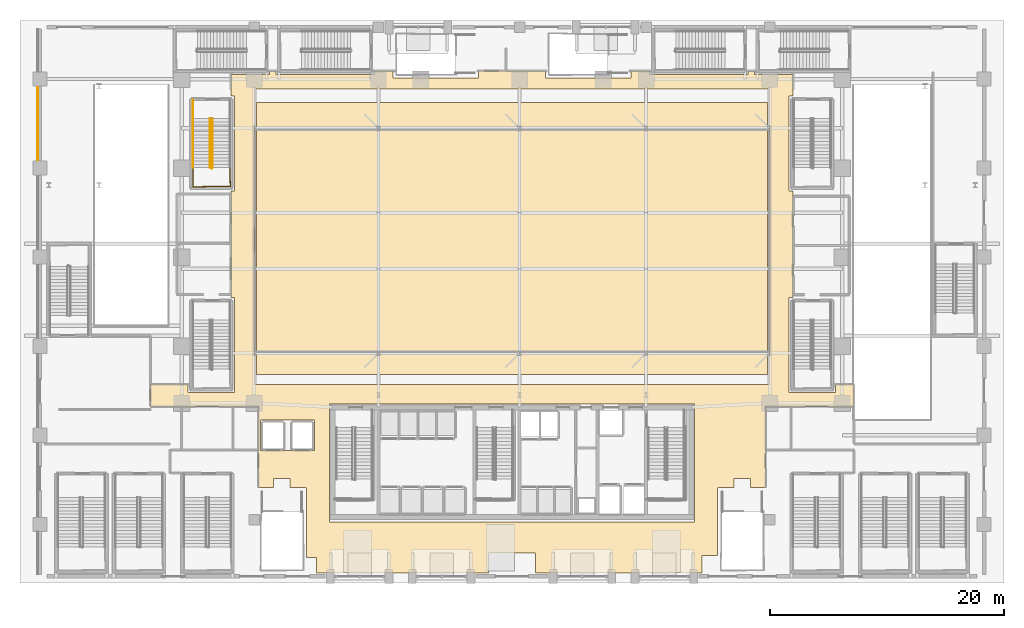
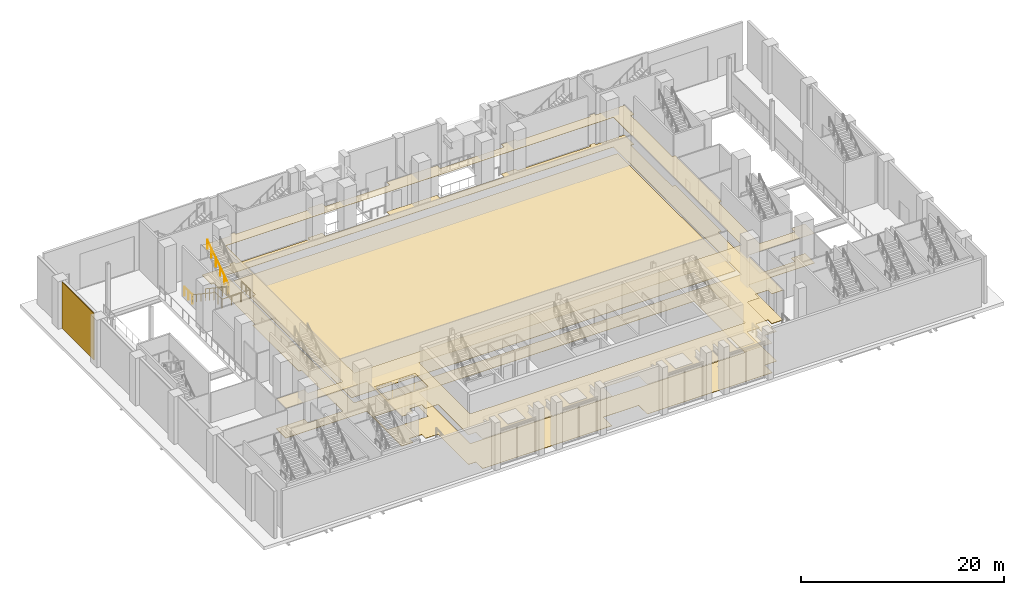
# One storey, part 30 of 36: 5 railings, 4 coverings.
"""IFC4 building model written with IfcOpenShell, lengths in metres."""

import ifcopenshell
import ifcopenshell.guid

model = None  # the IFC model being written
_history = None  # IfcOwnerHistory: only IFC2X3 demands one
_inside = {}  # id of a spatial element -> (the spatial element, [elements in it])
_under = {}  # id of a project, library or spatial element -> (it, [spatial elements below it])
_declared = {}  # id of a project -> (the project, [libraries it declares])
_typed = {}  # id of a type object -> (the type object, [elements of that type])
_made_of = {}  # id of a material, layer set ... -> (it, [elements and type objects made of it])


def new_model(schema):
    """Start an empty IFC model of exactly this schema.

    Asked for "IFC4X3", IfcOpenShell would pick the latest addendum, in which some entities
    have other attributes; the version numbers below select the first issue.
    IFC2X3 requires an IfcOwnerHistory on every rooted entity: one is made here for all.
    """
    global model, _history
    if schema == "IFC4X3":
        model = ifcopenshell.file(schema_version=(4, 3, 0, 0))
    else:
        model = ifcopenshell.file(schema=schema)
    _inside.clear()
    _under.clear()
    _declared.clear()
    _typed.clear()
    _made_of.clear()
    _history = None
    if model.schema == "IFC2X3":
        org = make("IfcOrganization", Name="unknown")
        user = make(
            "IfcPersonAndOrganization",
            ThePerson=make("IfcPerson", FamilyName="unknown"),
            TheOrganization=org,
        )
        app = make(
            "IfcApplication",
            ApplicationDeveloper=org,
            Version="unknown",
            ApplicationFullName="unknown",
            ApplicationIdentifier="unknown",
        )
        _history = make(
            "IfcOwnerHistory",
            OwningUser=user,
            OwningApplication=app,
            ChangeAction="ADDED",
            CreationDate=0,
        )
    return model


def make(cls, **values):
    """One entity of the class cls with the attributes given. An attribute that is None is left unset."""
    return model.create_entity(
        cls, **{name: value for name, value in values.items() if value is not None}
    )


def rooted(cls, **values):
    """An entity with a GlobalId (a new one), such as an element, a storey or a relation."""
    return make(cls, GlobalId=ifcopenshell.guid.new(), OwnerHistory=_history, **values)


def si_unit(unit_type, name, prefix=None):
    """IfcSIUnit, for example si_unit("LENGTHUNIT", "METRE", prefix="MILLI")."""
    return make("IfcSIUnit", UnitType=unit_type, Prefix=prefix, Name=name)


def assignment(units):
    """IfcUnitAssignment: the units of a project."""
    return None if units is None else make("IfcUnitAssignment", Units=units)


def point(xyz):
    """IfcCartesianPoint."""
    return None if xyz is None else make("IfcCartesianPoint", Coordinates=xyz)


def direction(xyz):
    """IfcDirection."""
    return None if xyz is None else make("IfcDirection", DirectionRatios=xyz)


def frame(location, z_axis=None, x_axis=None):
    """IfcAxis2Placement3D, a coordinate frame: its origin and axes. An axis left out is left unset."""
    return make(
        "IfcAxis2Placement3D",
        Location=point(location),
        Axis=direction(z_axis),
        RefDirection=direction(x_axis),
    )


def frame_2d(location, x_axis=None):
    """IfcAxis2Placement2D, a coordinate frame in the plane: its origin and x axis."""
    return make(
        "IfcAxis2Placement2D", Location=point(location), RefDirection=direction(x_axis)
    )


def origin():
    """The frame at (0, 0, 0) with its axes left unset."""
    return frame((0.0, 0.0, 0.0))


def origin_2d():
    """The frame at (0, 0) in the plane with its x axis left unset."""
    return frame_2d((0.0, 0.0))


def place(relative_to, where):
    """IfcLocalPlacement: puts the frame where relative to a parent placement (None: the world)."""
    return make(
        "IfcLocalPlacement", PlacementRelTo=relative_to, RelativePlacement=where
    )


def context(
    kind, dimensions, precision=None, world=None, true_north=None, identifier=None
):
    """IfcGeometricRepresentationContext, for example the 3D "Model" context."""
    return make(
        "IfcGeometricRepresentationContext",
        ContextIdentifier=identifier,
        ContextType=kind,
        CoordinateSpaceDimension=dimensions,
        Precision=precision,
        WorldCoordinateSystem=world,
        TrueNorth=true_north,
    )


def subcontext(parent, identifier, kind, view, scale=None):
    """IfcGeometricRepresentationSubContext, for example "Body" below "Model"."""
    return make(
        "IfcGeometricRepresentationSubContext",
        ContextIdentifier=identifier,
        ContextType=kind,
        ParentContext=parent,
        TargetScale=scale,
        TargetView=view,
    )


def project(units=None, contexts=None):
    """IfcProject with its units and contexts."""
    return rooted(
        "IfcProject",
        Name="project",
        RepresentationContexts=contexts,
        UnitsInContext=assignment(units),
    )


def spatial(cls, under=None, at=None, **own):
    """A site, building, storey or space (cls), placed at a placement, below another one or the project."""
    s = rooted(cls, ObjectPlacement=at, **own)
    if under is not None:
        _under.setdefault(under.id(), (under, []))[1].append(s)
    return s


def polyline(points):
    """IfcPolyline through the points."""
    return make("IfcPolyline", Points=[point(p) for p in points])


def profile(cls, at=None, kind="AREA", **sizes):
    """A parametric profile (cls). Its sizes go by their IFC names, for example OverallWidth=200.0."""
    return make(cls, ProfileType=kind, Position=at, **sizes)


def rectangle(**sizes):
    """IfcRectangleProfileDef."""
    return profile("IfcRectangleProfileDef", **sizes)


def circle(**sizes):
    """IfcCircleProfileDef."""
    return profile("IfcCircleProfileDef", **sizes)


def outline(outer, holes=None, kind="AREA"):
    """IfcArbitraryClosedProfileDef: a profile drawn as a closed curve; with holes, ...WithVoids."""
    if holes is None:
        return make("IfcArbitraryClosedProfileDef", ProfileType=kind, OuterCurve=outer)
    return make(
        "IfcArbitraryProfileDefWithVoids",
        ProfileType=kind,
        OuterCurve=outer,
        InnerCurves=holes,
    )


def extrude(swept, where, along, depth):
    """IfcExtrudedAreaSolid: the profile swept, set in the frame where, extruded along a direction by depth."""
    return make(
        "IfcExtrudedAreaSolid",
        SweptArea=swept,
        Position=where,
        ExtrudedDirection=direction(along),
        Depth=depth,
    )


def shape(context_of_items, identifier, shape_type, items):
    """IfcShapeRepresentation: the items that make up one representation, for example the "Body"."""
    return make(
        "IfcShapeRepresentation",
        ContextOfItems=context_of_items,
        RepresentationIdentifier=identifier,
        RepresentationType=shape_type,
        Items=items,
    )


def material(Name=None, Category=None):
    """IfcMaterial."""
    return make("IfcMaterial", Name=Name, Category=Category)


def layer(
    of_material, thickness, ventilated=None, Name=None, Category=None, Priority=None
):
    """IfcMaterialLayer: one layer of a wall or slab, of a material (None: an air gap)."""
    return make(
        "IfcMaterialLayer",
        Material=of_material,
        LayerThickness=thickness,
        IsVentilated=ventilated,
        Name=Name,
        Category=Category,
        Priority=Priority,
    )


def layer_set(layers, Name=None):
    """IfcMaterialLayerSet."""
    return make("IfcMaterialLayerSet", MaterialLayers=layers, LayerSetName=Name)


def made_of(thing, what):
    """Note that an element or type object is made of a material, layer set ...; save() writes the relation."""
    if what is not None:
        _made_of.setdefault(what.id(), (what, []))[1].append(thing)
    return thing


def type_object(cls, material=None, **own):
    """A type object (cls), such as IfcWallType, which elements share."""
    return made_of(rooted(cls, **own), material)


def element(
    cls,
    number,
    at=None,
    inside=None,
    cuts=None,
    type_object=None,
    material=None,
    context=None,
    identifier="Body",
    shape_type=None,
    held_by="IfcProductDefinitionShape",
    body=None,
    shapes=None,
    **own,
):
    """One element of the class cls, such as IfcWall. Its Tag is "e" and its number.

    at: its placement. inside: the storey or other place that contains it. cuts: it is an
    opening in that element (IfcRelVoidsElement). A single representation is given by context,
    identifier, shape_type and body (its items); several are given by shapes. held_by: the class
    of the entity that holds the representations. save() writes the other relations.
    """
    e = rooted(cls, Tag="e%d" % number, ObjectPlacement=at, **own)
    if body is not None:
        shapes = [shape(context, identifier, shape_type, body)]
    if shapes is not None:
        e.Representation = make(held_by, Representations=shapes)
    if inside is not None:
        _inside.setdefault(inside.id(), (inside, []))[1].append(e)
    if cuts is not None:
        rooted(
            "IfcRelVoidsElement", RelatingBuildingElement=cuts, RelatedOpeningElement=e
        )
    if type_object is not None:
        _typed.setdefault(type_object.id(), (type_object, []))[1].append(e)
    return made_of(e, material)


def aggregate(whole, parts):
    """IfcRelAggregates: a whole, such as a stair, and the parts it consists of."""
    return rooted("IfcRelAggregates", RelatingObject=whole, RelatedObjects=parts)


def save(model, path):
    """Write the relations noted so far, then the file.

    IfcRelAggregates (storeys below a building ...), IfcRelContainedInSpatialStructure (elements
    in a storey), IfcRelDefinesByType, IfcRelAssociatesMaterial and IfcRelDeclares: one each for
    every whole, place, type object, material and project.
    """
    for whole, parts in _under.values():
        aggregate(whole, parts)
    for where, things in _inside.values():
        rooted(
            "IfcRelContainedInSpatialStructure",
            RelatedElements=things,
            RelatingStructure=where,
        )
    for kind, things in _typed.values():
        rooted("IfcRelDefinesByType", RelatedObjects=things, RelatingType=kind)
    for what, things in _made_of.values():
        rooted("IfcRelAssociatesMaterial", RelatedObjects=things, RelatingMaterial=what)
    for by, libraries in _declared.values():
        rooted("IfcRelDeclares", RelatingContext=by, RelatedDefinitions=libraries)
    model.write(path)


model = new_model("IFC4")

# Units and contexts
model_context = context("Model", 3, precision=1e-05, world=origin(), true_north=direction((0.0, 1.0)))
body_context = subcontext(model_context, "Body", "Model", "MODEL_VIEW")
ifc_project = project(units=[si_unit("LENGTHUNIT", "METRE"), si_unit("AREAUNIT", "SQUARE_METRE"), si_unit("VOLUMEUNIT", "CUBIC_METRE"), si_unit("PLANEANGLEUNIT", "RADIAN"), si_unit("MASSUNIT", "GRAM", prefix="KILO")], contexts=[model_context])

# Site, building, storey
site_placement = place(None, origin())
site = spatial("IfcSite", under=ifc_project, at=site_placement, CompositionType="ELEMENT")
building_placement = place(site_placement, origin())
building = spatial("IfcBuilding", under=site, at=building_placement, Name="Ndaravel Arena Tower", CompositionType="ELEMENT")
storey_placement = place(building_placement, origin())
storey = spatial("IfcBuildingStorey", under=building, at=storey_placement, Name="L00", CompositionType="ELEMENT", Elevation=0.0)

# Coverings
ifc_material_1 = material(Name="Acoustic Ceiling Tile", Category="finish")
ifc_layer_1 = layer(ifc_material_1, 0.02490234375)
ifc_layer_set_1 = layer_set([ifc_layer_1], Name="Acoustic Ceiling Tile")
covering_type_1 = type_object("IfcCoveringType", Name="COV-CEIL-AC600", PredefinedType="CEILING", material=ifc_layer_set_1)
covering_1_placement = place(storey_placement, frame((0.0, 0.0, 3.5703125)))
element("IfcCovering", 1, at=covering_1_placement, inside=storey, type_object=covering_type_1, Name="L00 Corridor Acoustic Ceiling", PredefinedType="CEILING", context=body_context, shape_type="SweptSolid", body=[
    extrude(outline(polyline([(26.39990234375, 0.85009765625), (40.0, 0.85009765625), (40.0, 2.550048828125), (44.0, 2.550048828125), (44.0, 0.85009765625), (57.60009765625, 0.85009765625), (58.199951171875, 0.85009765625), (58.199951171875, 2.35009765625), (59.550048828125, 2.35009765625), (59.550048828125, 8.10009765625), (59.60009765625, 8.10009765625), (59.60009765625, 8.14990234375), (60.949951171875, 8.14990234375), (60.949951171875, 8.89990234375), (62.35009765625, 8.89990234375), (62.35009765625, 8.14990234375), (63.64990234375, 8.14990234375), (63.64990234375, 9.3701171875), (63.64990234375, 9.39990234375), (63.64990234375, 11.35009765625), (63.64990234375, 15.050048828125), (71.199951171875, 15.050048828125), (71.199951171875, 16.949951171875), (69.610107421875, 16.949951171875), (69.610107421875, 16.25), (65.64990234375, 16.25), (65.64990234375, 24.35009765625), (66.0, 24.35009765625), (66.0, 33.449951171875), (65.64990234375, 33.449951171875), (65.64990234375, 41.550048828125), (66.0, 41.550048828125), (66.0, 42.14990234375), (66.0, 43.409912109375), (62.699951171875, 43.409912109375), (62.699951171875, 43.699951171875), (62.14990234375, 43.699951171875), (62.14990234375, 43.409912109375), (53.800048828125, 43.409912109375), (53.800048828125, 43.699951171875), (52.14990234375, 43.699951171875), (52.14990234375, 43.110107421875), (44.85009765625, 43.110107421875), (44.85009765625, 43.699951171875), (41.5, 43.699951171875), (39.14990234375, 43.699951171875), (39.14990234375, 43.110107421875), (31.85009765625, 43.110107421875), (31.85009765625, 43.699951171875), (30.199951171875, 43.699951171875), (30.199951171875, 43.409912109375), (21.85009765625, 43.409912109375), (21.85009765625, 43.699951171875), (21.300048828125, 43.699951171875), (21.300048828125, 43.409912109375), (18.0, 43.409912109375), (18.0, 42.14990234375), (18.0, 41.550048828125), (18.31005859375, 41.550048828125), (18.31005859375, 33.449951171875), (18.0, 33.449951171875), (18.0, 24.35009765625), (18.31005859375, 24.35009765625), (18.31005859375, 16.25), (14.35009765625, 16.25), (14.35009765625, 16.949951171875), (11.14990234375, 16.949951171875), (11.14990234375, 15.050048828125), (20.35009765625, 15.050048828125), (20.35009765625, 11.35009765625), (20.35009765625, 9.39990234375), (20.35009765625, 9.3701171875), (20.35009765625, 8.14990234375), (21.64990234375, 8.14990234375), (21.64990234375, 8.89990234375), (23.050048828125, 8.89990234375), (23.050048828125, 8.14990234375), (24.39990234375, 8.14990234375), (24.39990234375, 8.10009765625), (24.449951171875, 8.10009765625), (24.449951171875, 2.14990234375), (25.300048828125, 2.14990234375), (25.300048828125, 0.85009765625), (26.39990234375, 0.85009765625)]), holes=[polyline([(63.64990234375, 16.949951171875), (57.60009765625, 16.949951171875), (26.39990234375, 16.949951171875), (20.35009765625, 16.949951171875), (20.0, 16.949951171875), (20.0, 42.14990234375), (64.0, 42.14990234375), (64.0, 16.949951171875), (63.64990234375, 16.949951171875)]), polyline([(26.39990234375, 5.199951171875), (26.39990234375, 5.35009765625), (26.39990234375, 7.800048828125), (26.39990234375, 9.449951171875), (26.39990234375, 15.050048828125), (26.39990234375, 15.280029296875), (57.60009765625, 15.280029296875), (57.60009765625, 15.050048828125), (57.60009765625, 9.449951171875), (57.60009765625, 7.800048828125), (57.60009765625, 5.35009765625), (57.60009765625, 5.199951171875), (26.39990234375, 5.199951171875)]), polyline([(20.550048828125, 13.89990234375), (25.14990234375, 13.89990234375), (25.14990234375, 11.300048828125), (20.550048828125, 11.300048828125), (20.550048828125, 13.89990234375)])]), origin(), (0.0, 0.0, 1.0), 0.02490234375),
])
ifc_material_2 = material(Name="Terrazzo", Category="stone")
ifc_layer_2 = layer(ifc_material_2, 0.030029296875)
ifc_layer_set_2 = layer_set([ifc_layer_2], Name="Terrazzo")
covering_type_2 = type_object("IfcCoveringType", Name="COV-FLOOR-TERRAZZO", PredefinedType="FLOORING", material=ifc_layer_set_2)
covering_2_placement = place(storey_placement, origin())
element("IfcCovering", 2, at=covering_2_placement, inside=storey, type_object=covering_type_2, Name="L00 Corridor Terrazzo Flooring", PredefinedType="FLOORING", context=body_context, shape_type="SweptSolid", body=[
    extrude(outline(polyline([(26.39990234375, 0.85009765625), (40.0, 0.85009765625), (40.0, 2.550048828125), (44.0, 2.550048828125), (44.0, 0.85009765625), (57.60009765625, 0.85009765625), (58.199951171875, 0.85009765625), (58.199951171875, 2.35009765625), (59.550048828125, 2.35009765625), (59.550048828125, 8.10009765625), (59.60009765625, 8.10009765625), (59.60009765625, 8.14990234375), (60.949951171875, 8.14990234375), (60.949951171875, 8.89990234375), (62.35009765625, 8.89990234375), (62.35009765625, 8.14990234375), (63.64990234375, 8.14990234375), (63.64990234375, 9.3701171875), (63.64990234375, 9.39990234375), (63.64990234375, 11.35009765625), (63.64990234375, 15.050048828125), (71.199951171875, 15.050048828125), (71.199951171875, 16.949951171875), (69.610107421875, 16.949951171875), (69.610107421875, 16.25), (65.64990234375, 16.25), (65.64990234375, 24.35009765625), (66.0, 24.35009765625), (66.0, 33.449951171875), (65.64990234375, 33.449951171875), (65.64990234375, 41.550048828125), (66.0, 41.550048828125), (66.0, 42.14990234375), (66.0, 43.409912109375), (62.699951171875, 43.409912109375), (62.699951171875, 43.699951171875), (62.14990234375, 43.699951171875), (62.14990234375, 43.409912109375), (53.800048828125, 43.409912109375), (53.800048828125, 43.699951171875), (52.14990234375, 43.699951171875), (52.14990234375, 43.110107421875), (44.85009765625, 43.110107421875), (44.85009765625, 43.699951171875), (41.5, 43.699951171875), (39.14990234375, 43.699951171875), (39.14990234375, 43.110107421875), (31.85009765625, 43.110107421875), (31.85009765625, 43.699951171875), (30.199951171875, 43.699951171875), (30.199951171875, 43.409912109375), (21.85009765625, 43.409912109375), (21.85009765625, 43.699951171875), (21.300048828125, 43.699951171875), (21.300048828125, 43.409912109375), (18.0, 43.409912109375), (18.0, 42.14990234375), (18.0, 41.550048828125), (18.31005859375, 41.550048828125), (18.31005859375, 33.449951171875), (18.0, 33.449951171875), (18.0, 24.35009765625), (18.31005859375, 24.35009765625), (18.31005859375, 16.25), (14.35009765625, 16.25), (14.35009765625, 16.949951171875), (11.14990234375, 16.949951171875), (11.14990234375, 15.050048828125), (20.35009765625, 15.050048828125), (20.35009765625, 11.35009765625), (20.35009765625, 9.39990234375), (20.35009765625, 9.3701171875), (20.35009765625, 8.14990234375), (21.64990234375, 8.14990234375), (21.64990234375, 8.89990234375), (23.050048828125, 8.89990234375), (23.050048828125, 8.14990234375), (24.39990234375, 8.14990234375), (24.39990234375, 8.10009765625), (24.449951171875, 8.10009765625), (24.449951171875, 2.14990234375), (25.300048828125, 2.14990234375), (25.300048828125, 0.85009765625), (26.39990234375, 0.85009765625)]), holes=[polyline([(63.64990234375, 16.949951171875), (57.60009765625, 16.949951171875), (26.39990234375, 16.949951171875), (20.35009765625, 16.949951171875), (20.0, 16.949951171875), (20.0, 42.14990234375), (64.0, 42.14990234375), (64.0, 16.949951171875), (63.64990234375, 16.949951171875)]), polyline([(26.39990234375, 5.199951171875), (26.39990234375, 5.35009765625), (26.39990234375, 7.800048828125), (26.39990234375, 9.449951171875), (26.39990234375, 15.050048828125), (26.39990234375, 15.280029296875), (57.60009765625, 15.280029296875), (57.60009765625, 15.050048828125), (57.60009765625, 9.449951171875), (57.60009765625, 7.800048828125), (57.60009765625, 5.35009765625), (57.60009765625, 5.199951171875), (26.39990234375, 5.199951171875)]), polyline([(20.550048828125, 13.89990234375), (25.14990234375, 13.89990234375), (25.14990234375, 11.300048828125), (20.550048828125, 11.300048828125), (20.550048828125, 13.89990234375)])]), origin(), (0.0, 0.0, 1.0), 0.030029296875),
])
ifc_material_3 = material(Name="Hardwood", Category="wood")
ifc_layer_3 = layer(ifc_material_3, 0.028076171875)
ifc_layer_set_3 = layer_set([ifc_layer_3], Name="Hardwood")
covering_type_3 = type_object("IfcCoveringType", Name="COV-FLOOR-TIMBER", PredefinedType="FLOORING", material=ifc_layer_set_3)
covering_3_placement = place(storey_placement, origin())
element("IfcCovering", 3, at=covering_3_placement, inside=storey, type_object=covering_type_3, Name="Arena Sprung Hardwood Competition Court", PredefinedType="FLOORING", context=body_context, shape_type="SweptSolid", body=[
    extrude(outline(polyline([(20.199951171875, 17.800048828125), (63.800048828125, 17.800048828125), (63.800048828125, 41.0), (20.199951171875, 41.0), (20.199951171875, 17.800048828125)])), origin(), (0.0, 0.0, 1.0), 0.028076171875),
])
ifc_material_4 = material(Name="Masonry", Category="masonry")
ifc_layer_4 = layer(ifc_material_4, 0.06005859375)
ifc_layer_set_4 = layer_set([ifc_layer_4], Name="Masonry")
covering_type_4 = type_object("IfcCoveringType", Name="COV-STONE-CLAD", PredefinedType="CLADDING", material=ifc_layer_set_4)
covering_4_placement = place(storey_placement, frame((1.52001953125, 39.199951171875, 0.050048828125), z_axis=(0.0, 0.0, 1.0), x_axis=(1.0, 0.0, 0.0)))
element("IfcCovering", 4, at=covering_4_placement, inside=storey, type_object=covering_type_4, Name="L00 Honed Mazeras Ashlar Panel W6", PredefinedType="CLADDING", context=body_context, shape_type="SweptSolid", body=[
    extrude(rectangle(XDim=0.06005859375, YDim=6.260009765625, at=origin_2d()), origin(), (0.0, 0.0, 1.0), 5.60009765625),
])

# Railings
ifc_material_5 = material(Name="Steel S355", Category="steel")
ifc_layer_5 = layer(ifc_material_5, 0.06005859375)
ifc_layer_set_5 = layer_set([ifc_layer_5], Name="Steel S355")
railing_type_1 = type_object("IfcRailingType", Name="RAIL-STAIR-GD1100", PredefinedType="GUARDRAIL", material=ifc_layer_set_5)
railing_1_placement = place(storey_placement, frame((16.2099609375, 39.639892578125, 0.1875)))
element("IfcRailing", 5, at=railing_1_placement, inside=storey, type_object=railing_type_1, Name="L00 ST-VOM-2 stair guard 1", PredefinedType="GUARDRAIL", context=body_context, shape_type="SweptSolid", body=[
    extrude(circle(Radius=0.02392578125, at=origin_2d()), frame((0.0, 0.0, 1.076171875), z_axis=(0.0, -0.830904186295, 0.556415522067), x_axis=(1.0, 0.0, 0.0)), (0.0, 0.0, 1.0), 5.0546875),
    extrude(circle(Radius=0.02392578125, at=origin_2d()), frame((0.0, -4.199951171875, 3.888671875), z_axis=(0.966993988697, -0.254799187253, 0.0), x_axis=(0.254799187253, 0.966993988697, 0.0)), (0.0, 0.0, 1.0), 0.196533203125),
    extrude(circle(Radius=0.02099609375, at=origin_2d()), origin(), (0.0, 0.0, 1.0), 1.052001953125),
    extrude(circle(Radius=0.02099609375, at=origin_2d()), frame((0.0, -0.840087890625, 0.5625)), (0.0, 0.0, 1.0), 1.052001953125),
    extrude(circle(Radius=0.02099609375, at=origin_2d()), frame((0.0, -1.679931640625, 1.125)), (0.0, 0.0, 1.0), 1.052001953125),
    extrude(circle(Radius=0.02099609375, at=origin_2d()), frame((0.0, -2.52001953125, 1.6875)), (0.0, 0.0, 1.0), 1.052001953125),
    extrude(circle(Radius=0.02099609375, at=origin_2d()), frame((0.0, -3.35986328125, 2.25)), (0.0, 0.0, 1.0), 1.052001953125),
    extrude(circle(Radius=0.02099609375, at=origin_2d()), frame((0.0, -4.199951171875, 2.8125)), (0.0, 0.0, 1.0), 1.052001953125),
    extrude(circle(Radius=0.02099609375, at=origin_2d()), frame((0.18994140625, -4.25, 2.8125)), (0.0, 0.0, 1.0), 1.052001953125),
])
railing_2_placement = place(storey_placement, frame((14.75, 35.43994140625, 3.0)))
element("IfcRailing", 6, at=railing_2_placement, inside=storey, type_object=railing_type_1, Name="L00 ST-VOM-2 stair guard 2", PredefinedType="GUARDRAIL", context=body_context, shape_type="SweptSolid", body=[
    extrude(circle(Radius=0.02392578125, at=origin_2d()), frame((0.0, 0.0, 1.076171875), z_axis=(0.0, -1.0, 0.0), x_axis=(1.0, 0.0, 0.0)), (0.0, 0.0, 1.0), 1.639892578125),
    extrude(circle(Radius=0.02392578125, at=origin_2d()), frame((0.0, -1.639892578125, 1.076171875), z_axis=(0.999878471214, 0.015589830134, 0.0), x_axis=(-0.015589830134, 0.999878471214, 0.0)), (0.0, 0.0, 1.0), 3.21044921875),
    extrude(circle(Radius=0.02392578125, at=origin_2d()), frame((3.2099609375, -1.58984375, 1.076171875), z_axis=(-0.031464756864, 0.999504861957, 0.0), x_axis=(-0.999504861957, -0.031464756864, 0.0)), (0.0, 0.0, 1.0), 1.590576171875),
    extrude(circle(Radius=0.02099609375, at=origin_2d()), origin(), (0.0, 0.0, 1.0), 1.052001953125),
    extrude(circle(Radius=0.02099609375, at=origin_2d()), frame((0.0, -0.81982421875, 0.0)), (0.0, 0.0, 1.0), 1.052001953125),
    extrude(circle(Radius=0.02099609375, at=origin_2d()), frame((0.0, -1.639892578125, 0.0)), (0.0, 0.0, 1.0), 1.052001953125),
    extrude(circle(Radius=0.02099609375, at=origin_2d()), frame((1.070068359375, -1.623291015625, 0.0)), (0.0, 0.0, 1.0), 1.052001953125),
    extrude(circle(Radius=0.02099609375, at=origin_2d()), frame((2.139892578125, -1.6064453125, 0.0)), (0.0, 0.0, 1.0), 1.052001953125),
    extrude(circle(Radius=0.02099609375, at=origin_2d()), frame((3.2099609375, -1.58984375, 0.0)), (0.0, 0.0, 1.0), 1.052001953125),
    extrude(circle(Radius=0.02099609375, at=origin_2d()), frame((3.18505859375, -0.794921875, 0.0)), (0.0, 0.0, 1.0), 1.052001953125),
    extrude(circle(Radius=0.02099609375, at=origin_2d()), frame((3.159912109375, 0.0, 0.0)), (0.0, 0.0, 1.0), 1.052001953125),
])
railing_3_placement = place(storey_placement, frame((16.449951171875, 35.43994140625, 3.1875)))
element("IfcRailing", 7, at=railing_3_placement, inside=storey, type_object=railing_type_1, Name="L00 ST-VOM-2 stair guard 3", PredefinedType="GUARDRAIL", context=body_context, shape_type="SweptSolid", body=[
    extrude(circle(Radius=0.02392578125, at=origin_2d()), frame((0.0, 0.0, 1.076171875), z_axis=(0.0, 0.830904186295, 0.556415522067), x_axis=(-1.0, 0.0, 0.0)), (0.0, 0.0, 1.0), 5.0546875),
    extrude(circle(Radius=0.02099609375, at=origin_2d()), origin(), (0.0, 0.0, 1.0), 1.052001953125),
    extrude(circle(Radius=0.02099609375, at=origin_2d()), frame((0.0, 0.840087890625, 0.5625)), (0.0, 0.0, 1.0), 1.052001953125),
    extrude(circle(Radius=0.02099609375, at=origin_2d()), frame((0.0, 1.679931640625, 1.125)), (0.0, 0.0, 1.0), 1.052001953125),
    extrude(circle(Radius=0.02099609375, at=origin_2d()), frame((0.0, 2.52001953125, 1.6875)), (0.0, 0.0, 1.0), 1.052001953125),
    extrude(circle(Radius=0.02099609375, at=origin_2d()), frame((0.0, 3.35986328125, 2.25)), (0.0, 0.0, 1.0), 1.052001953125),
    extrude(circle(Radius=0.02099609375, at=origin_2d()), frame((0.0, 4.199951171875, 2.8125)), (0.0, 0.0, 1.0), 1.052001953125),
])
railing_4_placement = place(storey_placement, frame((14.75, 41.199951171875, 0.0)))
element("IfcRailing", 8, at=railing_4_placement, inside=storey, type_object=railing_type_1, Name="L00 ST-VOM-2 stair guard 5", PredefinedType="GUARDRAIL", context=body_context, shape_type="SweptSolid", body=[
    extrude(circle(Radius=0.02392578125, at=origin_2d()), frame((0.0, 0.0, 1.076171875), z_axis=(0.0, -1.0, 0.0), x_axis=(1.0, 0.0, 0.0)), (0.0, 0.0, 1.0), 1.56005859375),
    extrude(circle(Radius=0.02099609375, at=origin_2d()), origin(), (0.0, 0.0, 1.0), 1.052001953125),
    extrude(circle(Radius=0.02099609375, at=origin_2d()), frame((0.0, -0.780029296875, 0.0)), (0.0, 0.0, 1.0), 1.052001953125),
    extrude(circle(Radius=0.02099609375, at=origin_2d()), frame((0.0, -1.56005859375, 0.0)), (0.0, 0.0, 1.0), 1.052001953125),
])
ifc_material_6 = material(Name="Steel S355", Category="steel")
ifc_layer_6 = layer(ifc_material_6, 0.050048828125)
ifc_layer_set_6 = layer_set([ifc_layer_6], Name="Steel S355")
railing_type_2 = type_object("IfcRailingType", Name="RAIL-STAIR-HR920", PredefinedType="HANDRAIL", material=ifc_layer_set_6)
railing_5_placement = place(storey_placement, frame((14.75, 39.639892578125, 0.1875)))
element("IfcRailing", 9, at=railing_5_placement, inside=storey, type_object=railing_type_2, Name="L00 ST-VOM-2 stair handrail 1", PredefinedType="HANDRAIL", context=body_context, shape_type="SweptSolid", body=[
    extrude(circle(Radius=0.02392578125, at=origin_2d()), frame((0.0, 0.0, 0.8759765625), z_axis=(0.0, -0.830904186295, 0.556415522067), x_axis=(1.0, 0.0, 0.0)), (0.0, 0.0, 1.0), 5.0546875),
    extrude(circle(Radius=0.02099609375, at=origin_2d()), origin(), (0.0, 0.0, 1.0), 0.851806640625),
    extrude(circle(Radius=0.02099609375, at=origin_2d()), frame((0.0, -0.840087890625, 0.5625)), (0.0, 0.0, 1.0), 0.851806640625),
    extrude(circle(Radius=0.02099609375, at=origin_2d()), frame((0.0, -1.679931640625, 1.125)), (0.0, 0.0, 1.0), 0.851806640625),
    extrude(circle(Radius=0.02099609375, at=origin_2d()), frame((0.0, -2.52001953125, 1.6875)), (0.0, 0.0, 1.0), 0.851806640625),
    extrude(circle(Radius=0.02099609375, at=origin_2d()), frame((0.0, -3.35986328125, 2.25)), (0.0, 0.0, 1.0), 0.851806640625),
    extrude(circle(Radius=0.02099609375, at=origin_2d()), frame((0.0, -4.199951171875, 2.8125)), (0.0, 0.0, 1.0), 0.851806640625),
])

save(model, "model.ifc")
